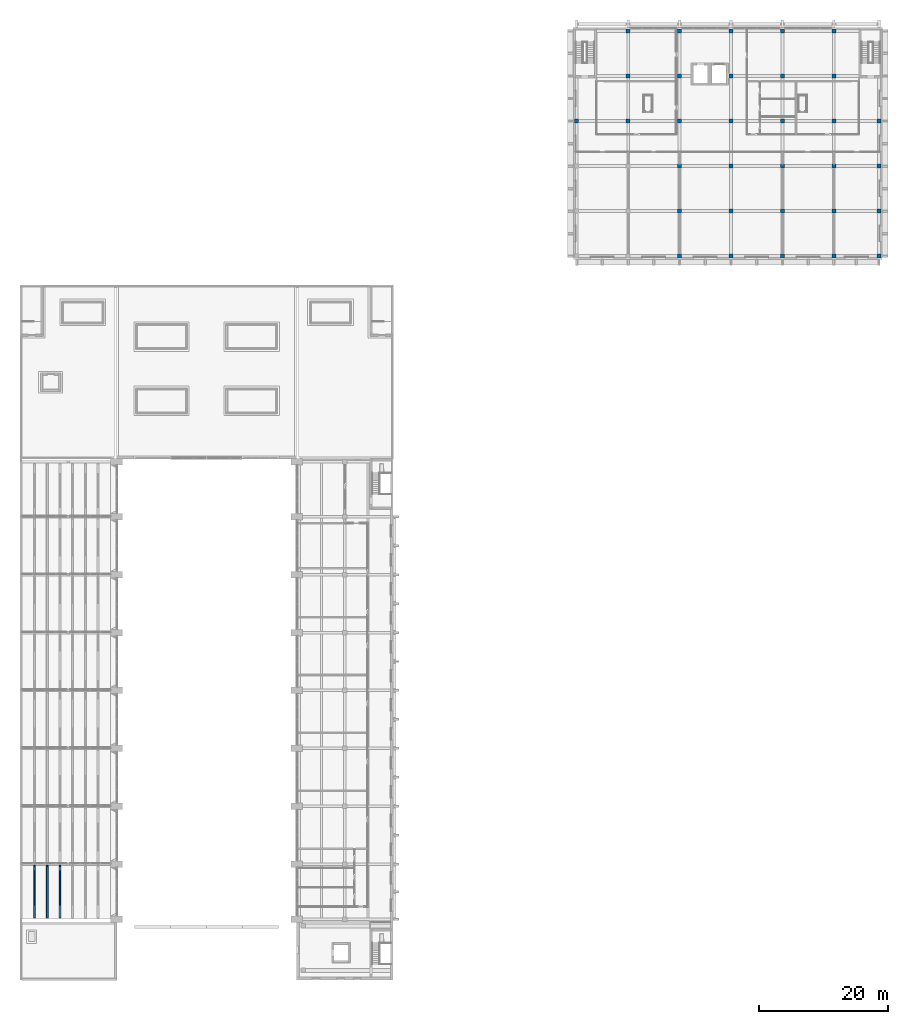
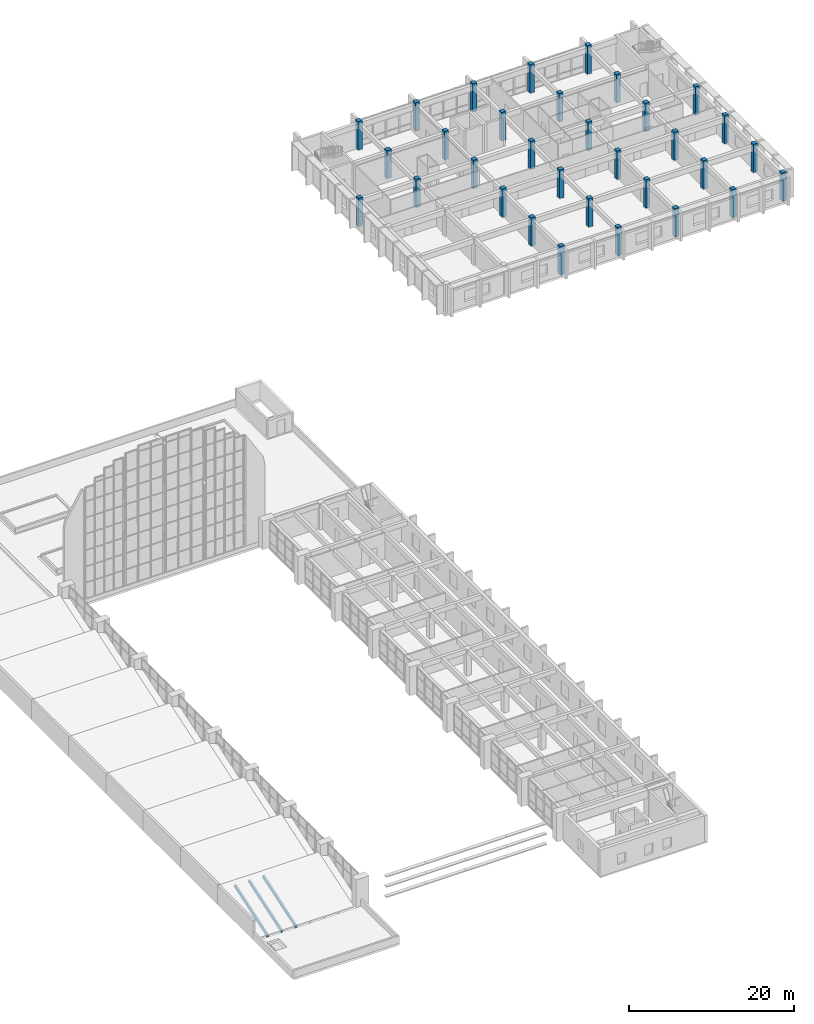
# One storey, part 2 of 43: 32 columns, 3 beams.
"""IFC4 building model written with IfcOpenShell, lengths in metres."""

from ifc_helpers import new_model, si_unit, direction, frame, origin, origin_2d, place, context, subcontext, project, spatial, rectangle, extrude, material, material_profile, profile_set, type_object, element, save


model = new_model("IFC4")

# Units and contexts
model_context = context("Model", 3, precision=1e-05, world=origin(), true_north=direction((0.0, 1.0)))
body_context = subcontext(model_context, "Body", "Model", "MODEL_VIEW")
ifc_project = project(units=[si_unit("LENGTHUNIT", "METRE"), si_unit("AREAUNIT", "SQUARE_METRE"), si_unit("VOLUMEUNIT", "CUBIC_METRE"), si_unit("PLANEANGLEUNIT", "RADIAN"), si_unit("MASSUNIT", "GRAM", prefix="KILO")], contexts=[model_context])

# Site, building, storey
site_placement = place(None, origin())
site = spatial("IfcSite", under=ifc_project, at=site_placement, CompositionType="ELEMENT")
building_placement = place(site_placement, origin())
building = spatial("IfcBuilding", under=site, at=building_placement, Name="Elmora Arch Market Hall", CompositionType="ELEMENT")
storey_placement = place(building_placement, frame((0.0, 0.0, 10.199951171875)))
storey = spatial("IfcBuildingStorey", under=building, at=storey_placement, Name="L02", CompositionType="ELEMENT", Elevation=10.199951171875)

# Columns
ifc_material_1 = material(Name="Concrete C40/50", Category="concrete")
ifc_material_profile_1 = material_profile(ifc_material_1, rectangle(XDim=0.60009765625, YDim=0.60009765625, at=origin_2d()), Name="School column 600x600")
ifc_profile_set_1 = profile_set([ifc_material_profile_1], Name="Concrete C40/50")
column_type = type_object("IfcColumnType", Name="School column 600x600", PredefinedType="COLUMN", material=ifc_profile_set_1)
for number, where, z_axis, x_axis, name in (
    (1, (86.5, 151.5, 0.0), (0.0, 0.0, 1.0), (1.0, 0.0, 0.0), "School column SC14 L02"),
    (2, (94.5, 151.5, 0.0), (0.0, 0.0, 1.0), (1.0, 0.0, 0.0), "School column SC24 L02"),
    (3, (94.5, 158.5, 0.0), (0.0, 0.0, 1.0), (1.0, 0.0, 0.0), "School column SC25 L02"),
    (4, (94.5, 165.5, 0.0), (0.0, 0.0, 1.0), (1.0, 0.0, 0.0), "School column SC26 L02"),
    (5, (102.5, 130.5, 0.0), (0.0, 0.0, 1.0), (1.0, 0.0, 0.0), "School column SC31 L02"),
    (6, (102.5, 137.5, 0.0), (0.0, 0.0, 1.0), (1.0, 0.0, 0.0), "School column SC32 L02"),
    (7, (102.5, 144.5, 0.0), (0.0, 0.0, 1.0), (1.0, 0.0, 0.0), "School column SC33 L02"),
    (8, (102.5, 151.5, 0.0), (0.0, 0.0, 1.0), (1.0, 0.0, 0.0), "School column SC34 L02"),
    (9, (102.5, 158.5, 0.0), (0.0, 0.0, 1.0), (1.0, 0.0, 0.0), "School column SC35 L02"),
    (10, (102.5, 165.5, 0.0), (0.0, 0.0, 1.0), (1.0, 0.0, 0.0), "School column SC36 L02"),
    (11, (110.5, 130.5, 0.0), (0.0, 0.0, 1.0), (1.0, 0.0, 0.0), "School column SC41 L02"),
    (12, (110.5, 137.5, 0.0), (0.0, 0.0, 1.0), (1.0, 0.0, 0.0), "School column SC42 L02"),
    (13, (110.5, 144.5, 0.0), (0.0, 0.0, 1.0), (1.0, 0.0, 0.0), "School column SC43 L02"),
    (14, (110.5, 151.5, 0.0), (0.0, 0.0, 1.0), (1.0, 0.0, 0.0), "School column SC44 L02"),
    (15, (110.5, 158.5, 0.0), (0.0, 0.0, 1.0), (1.0, 0.0, 0.0), "School column SC45 L02"),
    (16, (110.5, 165.5, 0.0), (0.0, 0.0, 1.0), (1.0, 0.0, 0.0), "School column SC46 L02"),
    (17, (118.5, 130.5, 0.0), (0.0, 0.0, 1.0), (1.0, 0.0, 0.0), "School column SC51 L02"),
    (18, (118.5, 137.5, 0.0), (0.0, 0.0, 1.0), (1.0, 0.0, 0.0), "School column SC52 L02"),
    (19, (118.5, 144.5, 0.0), (0.0, 0.0, 1.0), (1.0, 0.0, 0.0), "School column SC53 L02"),
    (20, (118.5, 151.5, 0.0), (0.0, 0.0, 1.0), (1.0, 0.0, 0.0), "School column SC54 L02"),
    (21, (118.5, 158.5, 0.0), (0.0, 0.0, 1.0), (1.0, 0.0, 0.0), "School column SC55 L02"),
    (22, (118.5, 165.5, 0.0), (0.0, 0.0, 1.0), (1.0, 0.0, 0.0), "School column SC56 L02"),
    (23, (126.5, 130.5, 0.0), (0.0, 0.0, 1.0), (1.0, 0.0, 0.0), "School column SC61 L02"),
    (24, (126.5, 137.5, 0.0), (0.0, 0.0, 1.0), (1.0, 0.0, 0.0), "School column SC62 L02"),
    (25, (126.5, 144.5, 0.0), (0.0, 0.0, 1.0), (1.0, 0.0, 0.0), "School column SC63 L02"),
    (26, (126.5, 151.5, 0.0), (0.0, 0.0, 1.0), (1.0, 0.0, 0.0), "School column SC64 L02"),
    (27, (126.5, 158.5, 0.0), (0.0, 0.0, 1.0), (1.0, 0.0, 0.0), "School column SC65 L02"),
    (28, (126.5, 165.5, 0.0), (0.0, 0.0, 1.0), (1.0, 0.0, 0.0), "School column SC66 L02"),
    (29, (133.5, 130.5, 0.0), (0.0, 0.0, 1.0), (1.0, 0.0, 0.0), "School column SC71 L02"),
    (30, (133.5, 137.5, 0.0), (0.0, 0.0, 1.0), (1.0, 0.0, 0.0), "School column SC72 L02"),
    (31, (133.5, 144.5, 0.0), (0.0, 0.0, 1.0), (1.0, 0.0, 0.0), "School column SC73 L02"),
    (32, (133.5, 151.5, 0.0), (0.0, 0.0, 1.0), (1.0, 0.0, 0.0), "School column SC74 L02"),
):
    element("IfcColumn", number, at=place(storey_placement, frame(where, z_axis=z_axis, x_axis=x_axis)), inside=storey, type_object=column_type, Name=name, PredefinedType="COLUMN", context=body_context, shape_type="SweptSolid", body=[
        extrude(rectangle(XDim=0.60009765625, YDim=0.60009765625, at=origin_2d()), origin(), (0.0, 0.0, 1.0), 4.199951171875),
    ])

# Beams
ifc_material_2 = material(Name="Concrete C32/40", Category="concrete")
ifc_material_profile_2 = material_profile(ifc_material_2, rectangle(XDim=0.25, YDim=0.39990234375, at=origin_2d()), Name="Sawtooth rafter 250x400")
ifc_profile_set_2 = profile_set([ifc_material_profile_2], Name="Concrete C32/40")
beam_type = type_object("IfcBeamType", Name="Sawtooth rafter 250x400", PredefinedType="BEAM", material=ifc_profile_set_2)
for number, where, z_axis, x_axis, name in (
    (33, (2.271484375, 27.713134765625, -0.443115234375), (0.0, 0.948683298051, 0.316227766017), (-1.0, 0.0, 0.0), "Sawtooth rafter 1.1"),
    (34, (4.242919921875, 27.713134765625, -0.443115234375), (0.0, 0.948683298051, 0.316227766017), (-1.0, 0.0, 0.0), "Sawtooth rafter 1.2"),
    (35, (6.21435546875, 27.713134765625, -0.443115234375), (0.0, 0.948683298051, 0.316227766017), (-1.0, 0.0, 0.0), "Sawtooth rafter 1.3"),
):
    element("IfcBeam", number, at=place(storey_placement, frame(where, z_axis=z_axis, x_axis=x_axis)), inside=storey, type_object=beam_type, Name=name, PredefinedType="BEAM", context=body_context, shape_type="SweptSolid", body=[
        extrude(rectangle(XDim=0.25, YDim=0.39990234375, at=origin_2d()), origin(), (0.0, 0.0, 1.0), 8.457763671875),
    ])

save(model, "model.ifc")
